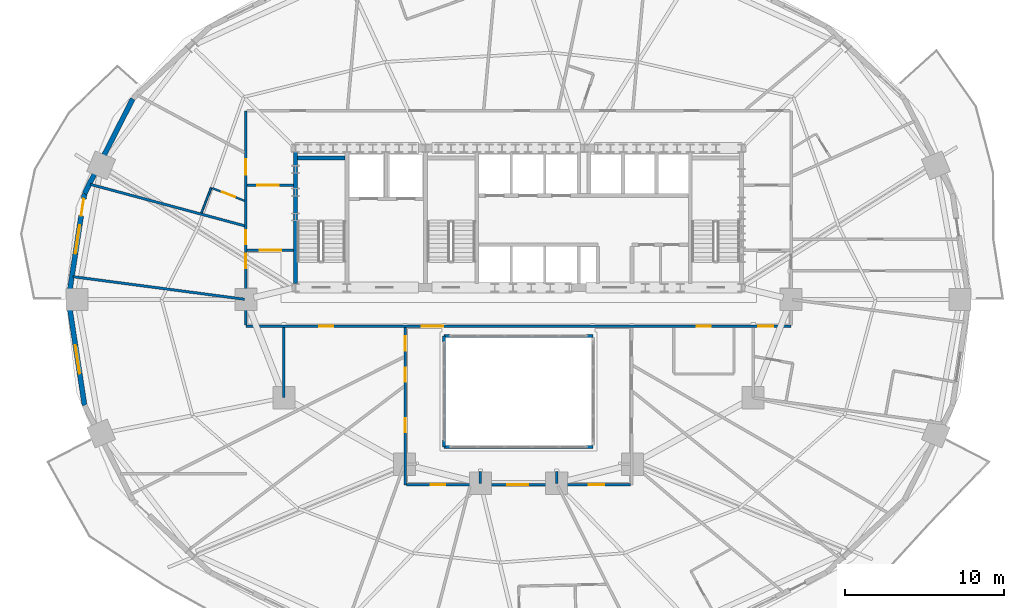
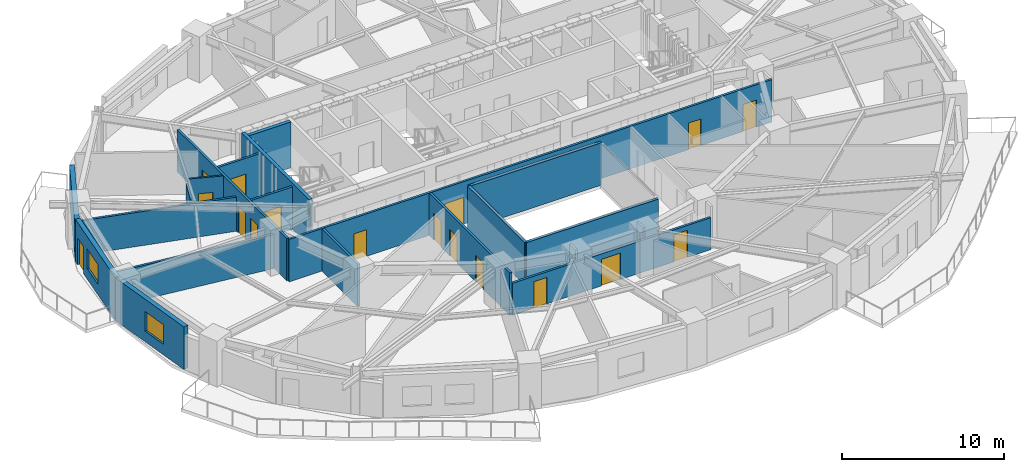
# One storey, part 8 of 16: 21 walls, 17 doors, 2 windows, 19 openings.
"""IFC4 building model written with IfcOpenShell, lengths in metres."""

from ifc_helpers import new_model, si_unit, direction, frame, frame_2d, origin, place, context, subcontext, project, spatial, rectangle, extrude, material, layer, layer_set, type_object, element, fill, save


model = new_model("IFC4")

# Units and contexts
model_context = context("Model", 3, precision=1e-05, world=origin(), true_north=direction((0.0, 1.0)))
body_context = subcontext(model_context, "Body", "Model", "MODEL_VIEW")
ifc_project = project(units=[si_unit("LENGTHUNIT", "METRE"), si_unit("AREAUNIT", "SQUARE_METRE"), si_unit("VOLUMEUNIT", "CUBIC_METRE"), si_unit("PLANEANGLEUNIT", "RADIAN"), si_unit("MASSUNIT", "GRAM", prefix="KILO")], contexts=[model_context])

# Site, building, storey
site_placement = place(None, origin())
site = spatial("IfcSite", under=ifc_project, at=site_placement, CompositionType="ELEMENT")
building_placement = place(site_placement, origin())
building = spatial("IfcBuilding", under=site, at=building_placement, Name="Haldorwick Loom Tower", CompositionType="ELEMENT")
storey_placement = place(building_placement, frame((0.0, 0.0, 88.699951171875)))
storey = spatial("IfcBuildingStorey", under=building, at=storey_placement, Name="L23", CompositionType="ELEMENT", Elevation=88.699951171875)

# Wall
ifc_material_1 = material(Name="Pressed Clay Face Brick and Insulated Masonry Backup Assembly", Category="masonry")
ifc_layer_1 = layer(ifc_material_1, 0.320068359375, Name="Pressed Clay Face Brick and Insulated Masonry Backup Assembly", Category="masonry")
ifc_layer_set_1 = layer_set([ifc_layer_1], Name="Pressed Clay Face Brick and Insulated Masonry Backup Assembly")
wall_type_1 = type_object("IfcWallType", Name="ARC-WL-EXT320", PredefinedType="STANDARD", material=ifc_layer_set_1)
wall_1_placement = place(storey_placement, frame((11.661376953125, 38.655517578125, 0.0), z_axis=(0.0, 0.0, 1.0), x_axis=(-0.453374078001, -0.89132033826, 0.0)))
element("IfcWall", 1, at=wall_1_placement, inside=storey, type_object=wall_type_1, Name="L23 Brick Pier and Spandrel Wall 11", PredefinedType="STANDARD", context=body_context, shape_type="SweptSolid", body=[
    extrude(rectangle(XDim=6.709716796875, YDim=0.320068359375, at=frame_2d((3.35498046875, 0.0))), origin(), (0.0, 0.0, 1.0), 2.569091796875),
])

# Wall, openings, door, window
wall_2_placement = place(storey_placement, frame((8.619384765625, 32.675048828125, 0.0), z_axis=(0.0, 0.0, 1.0), x_axis=(-0.150633288003, -0.988589708901, 0.0)))
wall_2 = element("IfcWall", 2, at=wall_2_placement, inside=storey, type_object=wall_type_1, Name="L23 Brick Pier and Spandrel Wall 12", PredefinedType="STANDARD", context=body_context, shape_type="SweptSolid", body=[
    extrude(rectangle(XDim=6.752197265625, YDim=0.320068359375, at=frame_2d((3.3759765625, 0.0))), origin(), (0.0, 0.0, 1.0), 3.2099609375),
])
opening_1_placement = place(wall_2_placement, frame((0.340087890625, 0.0, 0.0)))
opening_1 = element("IfcOpeningElement", 3, at=opening_1_placement, cuts=wall_2, Name="Opening D-BL11", PredefinedType="OPENING", context=body_context, shape_type="SweptSolid", body=[
    extrude(rectangle(XDim=1.080078125, YDim=2.0400390625, at=frame_2d((0.5400390625, 1.02001953125))), frame((0.0, 0.169921875, 0.0), z_axis=(0.0, -1.0, 0.0), x_axis=(1.0, 0.0, 0.0)), (0.0, 0.0, 1.0), 0.340087890625),
])
opening_2_placement = place(wall_2_placement, frame((2.02490234375, 0.0, 0.800048828125)))
opening_2 = element("IfcOpeningElement", 4, at=opening_2_placement, cuts=wall_2, Name="Opening W-01", PredefinedType="OPENING", context=body_context, shape_type="SweptSolid", body=[
    extrude(rectangle(XDim=1.800048828125, YDim=1.47998046875, at=frame_2d((0.89990234375, 0.739990234375))), frame((0.0, 0.169921875, 0.0), z_axis=(0.0, -1.0, 0.0), x_axis=(1.0, 0.0, 0.0)), (0.0, 0.0, 1.0), 0.340087890625),
])
ifc_material_2 = material(Name="Thermally Broken Anodized Aluminium Curtain Wall Framing", Category="aluminium")
door_type_1 = type_object("IfcDoorType", Name="ARC-DR-BAL110", OperationType="NOTDEFINED", PredefinedType="DOOR", material=ifc_material_2)
door_1_placement = place(opening_1_placement, origin())
door_1 = element("IfcDoor", 5, at=door_1_placement, inside=storey, type_object=door_type_1, Name="L23 Outdoor Terrace Door SLB-L23-BAL_WNW", OperationType="SINGLE_SWING_RIGHT", OverallHeight=2.0400390625, OverallWidth=1.080078125, PredefinedType="DOOR", context=body_context, shape_type="SweptSolid", body=[
    extrude(rectangle(XDim=1.080078125, YDim=2.0400390625, at=frame_2d((0.5400390625, 1.02001953125))), frame((0.0, 0.02490234375, 0.0), z_axis=(0.0, -1.0, 0.0), x_axis=(1.0, 0.0, 0.0)), (0.0, 0.0, 1.0), 0.050048828125),
])
fill(opening_1, door_1)
ifc_material_3 = material(Name="Triple-Glazed Low-E Argon Insulated Glazing Unit", Category="glass")
window_type = type_object("IfcWindowType", Name="ARC-WIN-W180", PartitioningType="SINGLE_PANEL", PredefinedType="WINDOW", material=ifc_material_3)
window_1_placement = place(opening_2_placement, origin())
window_1 = element("IfcWindow", 6, at=window_1_placement, inside=storey, type_object=window_type, Name="L23 Deep-Set Zone 7A Window 12", OverallHeight=1.47998046875, OverallWidth=1.800048828125, PartitioningType="SINGLE_PANEL", PredefinedType="WINDOW", context=body_context, shape_type="SweptSolid", body=[
    extrude(rectangle(XDim=1.800048828125, YDim=1.47998046875, at=frame_2d((0.89990234375, 0.739990234375))), frame((0.0, 0.030029296875, 0.0), z_axis=(0.0, -1.0, 0.0), x_axis=(1.0, 0.0, 0.0)), (0.0, 0.0, 1.0), 0.06005859375),
])
fill(opening_2, window_1)

# Wall, opening, window
wall_3_placement = place(storey_placement, frame((7.602294921875, 26.0, 0.0), z_axis=(0.0, 0.0, 1.0), x_axis=(0.150633288003, -0.988589708901, 0.0)))
wall_3 = element("IfcWall", 7, at=wall_3_placement, inside=storey, type_object=wall_type_1, Name="L23 Brick Pier and Spandrel Wall 13", PredefinedType="STANDARD", context=body_context, shape_type="SweptSolid", body=[
    extrude(rectangle(XDim=6.752197265625, YDim=0.320068359375, at=frame_2d((3.3759765625, 0.0))), origin(), (0.0, 0.0, 1.0), 3.2099609375),
])
opening_3_placement = place(wall_3_placement, frame((2.92724609375, 0.0, 0.800048828125)))
opening_3 = element("IfcOpeningElement", 8, at=opening_3_placement, cuts=wall_3, Name="Opening W-01", PredefinedType="OPENING", context=body_context, shape_type="SweptSolid", body=[
    extrude(rectangle(XDim=1.800048828125, YDim=1.47998046875, at=frame_2d((0.89990234375, 0.739990234375))), frame((0.0, 0.169921875, 0.0), z_axis=(0.0, -1.0, 0.0), x_axis=(1.0, 0.0, 0.0)), (0.0, 0.0, 1.0), 0.340087890625),
])
window_2_placement = place(opening_3_placement, origin())
window_2 = element("IfcWindow", 9, at=window_2_placement, inside=storey, type_object=window_type, Name="L23 Deep-Set Zone 7A Window 13", OverallHeight=1.47998046875, OverallWidth=1.800048828125, PartitioningType="SINGLE_PANEL", PredefinedType="WINDOW", context=body_context, shape_type="SweptSolid", body=[
    extrude(rectangle(XDim=1.800048828125, YDim=1.47998046875, at=frame_2d((0.89990234375, 0.739990234375))), frame((0.0, 0.030029296875, 0.0), z_axis=(0.0, -1.0, 0.0), x_axis=(1.0, 0.0, 0.0)), (0.0, 0.0, 1.0), 0.06005859375),
])
fill(opening_3, window_2)

# Wall, openings, doors
ifc_material_4 = material(Name="Fire-Rated Type X Gypsum Stud Assembly EI 60")
ifc_layer_2 = layer(ifc_material_4, 0.159912109375, Name="Fire-Rated Type X Gypsum Stud Assembly EI 60")
ifc_layer_set_2 = layer_set([ifc_layer_2], Name="Fire-Rated Type X Gypsum Stud Assembly EI 60")
wall_type_2 = type_object("IfcWallType", Name="ARC-WL-FIRE160", PredefinedType="PARTITIONING", material=ifc_layer_set_2)
wall_4_placement = place(storey_placement, frame((18.800048828125, 24.300048828125, 0.0), z_axis=(0.0, 0.0, 1.0), x_axis=(1.0, 0.0, 0.0)))
wall_4 = element("IfcWall", 10, at=wall_4_placement, inside=storey, type_object=wall_type_2, Name="L23 Residential Fire Partition L23-CR-SP", PredefinedType="PARTITIONING", context=body_context, shape_type="SweptSolid", body=[
    extrude(rectangle(XDim=34.39990234375, YDim=0.159912109375, at=frame_2d((17.199951171875, 0.0))), origin(), (0.0, 0.0, 1.0), 3.195068359375),
])
opening_4_placement = place(wall_4_placement, frame((11.085693359375, 0.0, 0.0)))
opening_4 = element("IfcOpeningElement", 11, at=opening_4_placement, cuts=wall_4, Name="Opening D-CR15", PredefinedType="OPENING", context=body_context, shape_type="SweptSolid", body=[
    extrude(rectangle(XDim=1.35009765625, YDim=2.0, at=frame_2d((0.675048828125, 1.0))), frame((0.0, 0.08984375, 0.0), z_axis=(0.0, -1.0, 0.0), x_axis=(1.0, 0.0, 0.0)), (0.0, 0.0, 1.0), 0.179931640625),
])
opening_5_placement = place(wall_4_placement, frame((4.621826171875, 0.0, 0.0)))
opening_5 = element("IfcOpeningElement", 12, at=opening_5_placement, cuts=wall_4, Name="Opening D-FD60A", PredefinedType="OPENING", context=body_context, shape_type="SweptSolid", body=[
    extrude(rectangle(XDim=0.89990234375, YDim=2.0, at=frame_2d((0.449951171875, 1.0))), frame((0.0, 0.08984375, 0.0), z_axis=(0.0, -1.0, 0.0), x_axis=(1.0, 0.0, 0.0)), (0.0, 0.0, 1.0), 0.179931640625),
])
opening_6_placement = place(wall_4_placement, frame((28.437255859375, 0.0, 0.0)))
opening_6 = element("IfcOpeningElement", 13, at=opening_6_placement, cuts=wall_4, Name="Opening D-FD60A", PredefinedType="OPENING", context=body_context, shape_type="SweptSolid", body=[
    extrude(rectangle(XDim=0.89990234375, YDim=2.0, at=frame_2d((0.449951171875, 1.0))), frame((0.0, 0.08984375, 0.0), z_axis=(0.0, -1.0, 0.0), x_axis=(1.0, 0.0, 0.0)), (0.0, 0.0, 1.0), 0.179931640625),
])
opening_7_placement = place(wall_4_placement, frame((32.319091796875, 0.0, 0.0)))
opening_7 = element("IfcOpeningElement", 14, at=opening_7_placement, cuts=wall_4, Name="Opening D-FL95", PredefinedType="OPENING", context=body_context, shape_type="SweptSolid", body=[
    extrude(rectangle(XDim=0.949951171875, YDim=2.0400390625, at=frame_2d((0.47509765625, 1.02001953125))), frame((0.0, 0.08984375, 0.0), z_axis=(0.0, -1.0, 0.0), x_axis=(1.0, 0.0, 0.0)), (0.0, 0.0, 1.0), 0.179931640625),
])
ifc_material_5 = material(Name="Thermally Broken Anodized Aluminium and Tempered Glass", Category="aluminium")
door_type_2 = type_object("IfcDoorType", Name="ARC-DR-COR150", OperationType="NOTDEFINED", PredefinedType="DOOR", material=ifc_material_5)
door_2_placement = place(opening_4_placement, origin())
door_2 = element("IfcDoor", 15, at=door_2_placement, inside=storey, type_object=door_type_2, Name="L23 L23 Central Residential Corridor to L23 South Atrium Corridor Door", OperationType="DOUBLE_DOOR_SINGLE_SWING", OverallHeight=2.0, OverallWidth=1.35009765625, PredefinedType="DOOR", context=body_context, shape_type="SweptSolid", body=[
    extrude(rectangle(XDim=1.35009765625, YDim=2.0, at=frame_2d((0.675048828125, 1.0))), frame((0.0, 0.02490234375, 0.0), z_axis=(0.0, -1.0, 0.0), x_axis=(1.0, 0.0, 0.0)), (0.0, 0.0, 1.0), 0.050048828125),
])
fill(opening_4, door_2)
ifc_material_6 = material(Name="Hollow Steel Fire Door Assembly", Category="steel")
door_type_3 = type_object("IfcDoorType", Name="ARC-DR-FD60-90", OperationType="NOTDEFINED", PredefinedType="DOOR", material=ifc_material_6)
door_3_placement = place(opening_5_placement, origin())
door_3 = element("IfcDoor", 16, at=door_3_placement, inside=storey, type_object=door_type_3, Name="L23 L23 Central Residential Corridor to Shared Resident Dining Hall 15 D", OperationType="SINGLE_SWING_RIGHT", OverallHeight=2.0, OverallWidth=0.89990234375, PredefinedType="DOOR", context=body_context, shape_type="SweptSolid", body=[
    extrude(rectangle(XDim=0.89990234375, YDim=2.0, at=frame_2d((0.449951171875, 1.0))), frame((0.0, 0.02490234375, 0.0), z_axis=(0.0, -1.0, 0.0), x_axis=(1.0, 0.0, 0.0)), (0.0, 0.0, 1.0), 0.050048828125),
])
fill(opening_5, door_3)
door_4_placement = place(opening_6_placement, origin())
door_4 = element("IfcDoor", 17, at=door_4_placement, inside=storey, type_object=door_type_3, Name="L23 L23 Central Residential Corridor to Common Accessible WC Door", OperationType="SINGLE_SWING_LEFT", OverallHeight=2.0, OverallWidth=0.89990234375, PredefinedType="DOOR", context=body_context, shape_type="SweptSolid", body=[
    extrude(rectangle(XDim=0.89990234375, YDim=2.0, at=frame_2d((0.449951171875, 1.0))), frame((0.0, 0.02490234375, 0.0), z_axis=(0.0, -1.0, 0.0), x_axis=(1.0, 0.0, 0.0)), (0.0, 0.0, 1.0), 0.050048828125),
])
fill(opening_6, door_4)
ifc_material_7 = material(Name="Solid Core Birch Architectural Door")
door_type_4 = type_object("IfcDoorType", Name="ARC-DR-FLAT95", OperationType="NOTDEFINED", PredefinedType="DOOR", material=ifc_material_7)
door_5_placement = place(opening_7_placement, origin())
door_5 = element("IfcDoor", 18, at=door_5_placement, inside=storey, type_object=door_type_4, Name="L23 L23 Central Residential Corridor to Unit 23B Kitchen and Living Room", OperationType="SINGLE_SWING_RIGHT", OverallHeight=2.0400390625, OverallWidth=0.949951171875, PredefinedType="DOOR", context=body_context, shape_type="SweptSolid", body=[
    extrude(rectangle(XDim=0.949951171875, YDim=2.0400390625, at=frame_2d((0.47509765625, 1.02001953125))), frame((0.0, 0.02490234375, 0.0), z_axis=(0.0, -1.0, 0.0), x_axis=(1.0, 0.0, 0.0)), (0.0, 0.0, 1.0), 0.050048828125),
])
fill(opening_7, door_5)

wall_5_placement = place(storey_placement, frame((18.800048828125, 24.383056640625, 0.0), z_axis=(0.0, 0.0, 1.0), x_axis=(0.0, 1.0, 0.0)))
wall_5 = element("IfcWall", 19, at=wall_5_placement, inside=storey, type_object=wall_type_2, Name="L23 Residential Fire Partition L23-CR-W0", PredefinedType="PARTITIONING", context=body_context, shape_type="SweptSolid", body=[
    extrude(rectangle(XDim=13.516845703125, YDim=0.159912109375, at=frame_2d((6.75830078125, 0.0))), origin(), (0.0, 0.0, 1.0), 3.195068359375),
])
opening_8_placement = place(wall_5_placement, frame((3.5908203125, 0.0, 0.0)))
opening_8 = element("IfcOpeningElement", 20, at=opening_8_placement, cuts=wall_5, Name="Opening D-FD60A", PredefinedType="OPENING", context=body_context, shape_type="SweptSolid", body=[
    extrude(rectangle(XDim=0.89990234375, YDim=2.0, at=frame_2d((0.449951171875, 1.0))), frame((0.0, 0.08984375, 0.0), z_axis=(0.0, -1.0, 0.0), x_axis=(1.0, 0.0, 0.0)), (0.0, 0.0, 1.0), 0.179931640625),
])
opening_9_placement = place(wall_5_placement, frame((9.49658203125, 0.0, 0.0)))
opening_9 = element("IfcOpeningElement", 21, at=opening_9_placement, cuts=wall_5, Name="Opening D-FL95", PredefinedType="OPENING", context=body_context, shape_type="SweptSolid", body=[
    extrude(rectangle(XDim=0.949951171875, YDim=2.0400390625, at=frame_2d((0.47509765625, 1.02001953125))), frame((0.0, 0.08984375, 0.0), z_axis=(0.0, -1.0, 0.0), x_axis=(1.0, 0.0, 0.0)), (0.0, 0.0, 1.0), 0.179931640625),
])
opening_10_placement = place(wall_5_placement, frame((5.08984375, 0.0, 0.0)))
opening_10 = element("IfcOpeningElement", 22, at=opening_10_placement, cuts=wall_5, Name="Opening D-FD60A", PredefinedType="OPENING", context=body_context, shape_type="SweptSolid", body=[
    extrude(rectangle(XDim=0.89990234375, YDim=2.0, at=frame_2d((0.449951171875, 1.0))), frame((0.0, 0.08984375, 0.0), z_axis=(0.0, -1.0, 0.0), x_axis=(1.0, 0.0, 0.0)), (0.0, 0.0, 1.0), 0.179931640625),
])
door_6_placement = place(opening_8_placement, frame((0.89990234375, 0.0, 0.0), z_axis=(0.0, 0.0, 1.0), x_axis=(-1.0, 0.0, 0.0)))
door_6 = element("IfcDoor", 23, at=door_6_placement, inside=storey, type_object=door_type_3, Name="L23 Shared Resident Dining Hall 11 to L23 Central Residential Corridor D", OperationType="SINGLE_SWING_RIGHT", OverallHeight=2.0, OverallWidth=0.89990234375, PredefinedType="DOOR", context=body_context, shape_type="SweptSolid", body=[
    extrude(rectangle(XDim=0.89990234375, YDim=2.0, at=frame_2d((0.449951171875, 1.0))), frame((0.0, 0.02490234375, 0.0), z_axis=(0.0, -1.0, 0.0), x_axis=(1.0, 0.0, 0.0)), (0.0, 0.0, 1.0), 0.050048828125),
])
fill(opening_8, door_6)
door_7_placement = place(opening_10_placement, frame((0.89990234375, 0.0, 0.0), z_axis=(0.0, 0.0, 1.0), x_axis=(-1.0, 0.0, 0.0)))
door_7 = element("IfcDoor", 24, at=door_7_placement, inside=storey, type_object=door_type_3, Name="L23 Shared Resident Dining Hall 11 to L23 West Residential Corridor Door", OperationType="SINGLE_SWING_RIGHT", OverallHeight=2.0, OverallWidth=0.89990234375, PredefinedType="DOOR", context=body_context, shape_type="SweptSolid", body=[
    extrude(rectangle(XDim=0.89990234375, YDim=2.0, at=frame_2d((0.449951171875, 1.0))), frame((0.0, 0.02490234375, 0.0), z_axis=(0.0, -1.0, 0.0), x_axis=(1.0, 0.0, 0.0)), (0.0, 0.0, 1.0), 0.050048828125),
])
fill(opening_10, door_7)
door_8_placement = place(opening_9_placement, frame((0.949951171875, 0.0, 0.0), z_axis=(0.0, 0.0, 1.0), x_axis=(-1.0, 0.0, 0.0)))
door_8 = element("IfcDoor", 25, at=door_8_placement, inside=storey, type_object=door_type_4, Name="L23 Unit 23L Kitchen and Studio Living Room to L23 North Residential Cor", OperationType="SINGLE_SWING_RIGHT", OverallHeight=2.0400390625, OverallWidth=0.949951171875, PredefinedType="DOOR", context=body_context, shape_type="SweptSolid", body=[
    extrude(rectangle(XDim=0.949951171875, YDim=2.0400390625, at=frame_2d((0.47509765625, 1.02001953125))), frame((0.0, 0.02490234375, 0.0), z_axis=(0.0, -1.0, 0.0), x_axis=(1.0, 0.0, 0.0)), (0.0, 0.0, 1.0), 0.050048828125),
])
fill(opening_9, door_8)

# Wall, opening, door
wall_6_placement = place(storey_placement, frame((18.883056640625, 29.10009765625, 0.0), z_axis=(0.0, 0.0, 1.0), x_axis=(1.0, 0.0, 0.0)))
wall_6 = element("IfcWall", 26, at=wall_6_placement, inside=storey, type_object=wall_type_2, Name="L23 Residential Fire Partition L23-CR-WSJ", PredefinedType="PARTITIONING", context=body_context, shape_type="SweptSolid", body=[
    extrude(rectangle(XDim=2.923828125, YDim=0.159912109375, at=frame_2d((1.4619140625, 0.0))), origin(), (0.0, 0.0, 1.0), 3.195068359375),
])
opening_11_placement = place(wall_6_placement, frame((0.787109375, 0.0, 0.0)))
opening_11 = element("IfcOpeningElement", 27, at=opening_11_placement, cuts=wall_6, Name="Opening D-CR15", PredefinedType="OPENING", context=body_context, shape_type="SweptSolid", body=[
    extrude(rectangle(XDim=1.35009765625, YDim=2.0, at=frame_2d((0.675048828125, 1.0))), frame((0.0, 0.08984375, 0.0), z_axis=(0.0, -1.0, 0.0), x_axis=(1.0, 0.0, 0.0)), (0.0, 0.0, 1.0), 0.179931640625),
])
door_9_placement = place(opening_11_placement, origin())
door_9 = element("IfcDoor", 28, at=door_9_placement, inside=storey, type_object=door_type_2, Name="L23 L23 West Residential Corridor to L23 Central Residential Corridor Do", OperationType="DOUBLE_DOOR_SINGLE_SWING", OverallHeight=2.0, OverallWidth=1.35009765625, PredefinedType="DOOR", context=body_context, shape_type="SweptSolid", body=[
    extrude(rectangle(XDim=1.35009765625, YDim=2.0, at=frame_2d((0.675048828125, 1.0))), frame((0.0, 0.02490234375, 0.0), z_axis=(0.0, -1.0, 0.0), x_axis=(1.0, 0.0, 0.0)), (0.0, 0.0, 1.0), 0.050048828125),
])
fill(opening_11, door_9)

wall_7_placement = place(storey_placement, frame((18.883056640625, 33.199951171875, 0.0), z_axis=(0.0, 0.0, 1.0), x_axis=(1.0, 0.0, 0.0)))
wall_7 = element("IfcWall", 29, at=wall_7_placement, inside=storey, type_object=wall_type_2, Name="L23 Residential Fire Partition L23-CR-WNJ", PredefinedType="PARTITIONING", context=body_context, shape_type="SweptSolid", body=[
    extrude(rectangle(XDim=2.923828125, YDim=0.159912109375, at=frame_2d((1.4619140625, 0.0))), origin(), (0.0, 0.0, 1.0), 3.195068359375),
])
opening_12_placement = place(wall_7_placement, frame((0.637939453125, 0.0, 0.0)))
opening_12 = element("IfcOpeningElement", 30, at=opening_12_placement, cuts=wall_7, Name="Opening D-CR15", PredefinedType="OPENING", context=body_context, shape_type="SweptSolid", body=[
    extrude(rectangle(XDim=1.35009765625, YDim=2.0, at=frame_2d((0.675048828125, 1.0))), frame((0.0, 0.08984375, 0.0), z_axis=(0.0, -1.0, 0.0), x_axis=(1.0, 0.0, 0.0)), (0.0, 0.0, 1.0), 0.179931640625),
])
door_10_placement = place(opening_12_placement, origin())
door_10 = element("IfcDoor", 31, at=door_10_placement, inside=storey, type_object=door_type_2, Name="L23 L23 North Residential Corridor to L23 West Residential Corridor Door", OperationType="DOUBLE_DOOR_SINGLE_SWING", OverallHeight=2.0, OverallWidth=1.35009765625, PredefinedType="DOOR", context=body_context, shape_type="SweptSolid", body=[
    extrude(rectangle(XDim=1.35009765625, YDim=2.0, at=frame_2d((0.675048828125, 1.0))), frame((0.0, 0.02490234375, 0.0), z_axis=(0.0, -1.0, 0.0), x_axis=(1.0, 0.0, 0.0)), (0.0, 0.0, 1.0), 0.050048828125),
])
fill(opening_12, door_10)

# Wall, openings, doors
wall_8_placement = place(storey_placement, frame((28.85009765625, 14.300048828125, 0.0), z_axis=(0.0, 0.0, 1.0), x_axis=(0.0, 1.0, 0.0)))
wall_8 = element("IfcWall", 32, at=wall_8_placement, inside=storey, type_object=wall_type_2, Name="L23 Residential Fire Partition L23-CR-AW", PredefinedType="PARTITIONING", context=body_context, shape_type="SweptSolid", body=[
    extrude(rectangle(XDim=9.9169921875, YDim=0.159912109375, at=frame_2d((4.95849609375, 0.0))), origin(), (0.0, 0.0, 1.0), 3.195068359375),
])
opening_13_placement = place(wall_8_placement, frame((3.306396484375, 0.0, 0.0)))
opening_13 = element("IfcOpeningElement", 33, at=opening_13_placement, cuts=wall_8, Name="Opening D-FD60A", PredefinedType="OPENING", context=body_context, shape_type="SweptSolid", body=[
    extrude(rectangle(XDim=0.89990234375, YDim=2.0, at=frame_2d((0.449951171875, 1.0))), frame((0.0, 0.08984375, 0.0), z_axis=(0.0, -1.0, 0.0), x_axis=(1.0, 0.0, 0.0)), (0.0, 0.0, 1.0), 0.179931640625),
])
opening_14_placement = place(wall_8_placement, frame((8.475341796875, 0.0, 0.0)))
opening_14 = element("IfcOpeningElement", 34, at=opening_14_placement, cuts=wall_8, Name="Opening D-FD60A", PredefinedType="OPENING", context=body_context, shape_type="SweptSolid", body=[
    extrude(rectangle(XDim=0.89990234375, YDim=2.0, at=frame_2d((0.449951171875, 1.0))), frame((0.0, 0.08984375, 0.0), z_axis=(0.0, -1.0, 0.0), x_axis=(1.0, 0.0, 0.0)), (0.0, 0.0, 1.0), 0.179931640625),
])
opening_15_placement = place(wall_8_placement, frame((6.491943359375, 0.0, 0.0)))
opening_15 = element("IfcOpeningElement", 35, at=opening_15_placement, cuts=wall_8, Name="Opening D-FD60A", PredefinedType="OPENING", context=body_context, shape_type="SweptSolid", body=[
    extrude(rectangle(XDim=0.89990234375, YDim=2.0, at=frame_2d((0.449951171875, 1.0))), frame((0.0, 0.08984375, 0.0), z_axis=(0.0, -1.0, 0.0), x_axis=(1.0, 0.0, 0.0)), (0.0, 0.0, 1.0), 0.179931640625),
])
door_11_placement = place(opening_13_placement, frame((0.89990234375, 0.0, 0.0), z_axis=(0.0, 0.0, 1.0), x_axis=(-1.0, 0.0, 0.0)))
door_11 = element("IfcDoor", 36, at=door_11_placement, inside=storey, type_object=door_type_3, Name="L23 Shared Resident Dining Hall 15 to L23 South Atrium Corridor Door", OperationType="SINGLE_SWING_RIGHT", OverallHeight=2.0, OverallWidth=0.89990234375, PredefinedType="DOOR", context=body_context, shape_type="SweptSolid", body=[
    extrude(rectangle(XDim=0.89990234375, YDim=2.0, at=frame_2d((0.449951171875, 1.0))), frame((0.0, 0.02490234375, 0.0), z_axis=(0.0, -1.0, 0.0), x_axis=(1.0, 0.0, 0.0)), (0.0, 0.0, 1.0), 0.050048828125),
])
fill(opening_13, door_11)
door_12_placement = place(opening_14_placement, frame((0.89990234375, 0.0, 0.0), z_axis=(0.0, 0.0, 1.0), x_axis=(-1.0, 0.0, 0.0)))
door_12 = element("IfcDoor", 37, at=door_12_placement, inside=storey, type_object=door_type_3, Name="L23 Shared Resident Dining Hall 15 to L23 South Atrium Corridor Door", OperationType="SINGLE_SWING_LEFT", OverallHeight=2.0, OverallWidth=0.89990234375, PredefinedType="DOOR", context=body_context, shape_type="SweptSolid", body=[
    extrude(rectangle(XDim=0.89990234375, YDim=2.0, at=frame_2d((0.449951171875, 1.0))), frame((0.0, 0.02490234375, 0.0), z_axis=(0.0, -1.0, 0.0), x_axis=(1.0, 0.0, 0.0)), (0.0, 0.0, 1.0), 0.050048828125),
])
fill(opening_14, door_12)
door_13_placement = place(opening_15_placement, frame((0.89990234375, 0.0, 0.0), z_axis=(0.0, 0.0, 1.0), x_axis=(-1.0, 0.0, 0.0)))
door_13 = element("IfcDoor", 38, at=door_13_placement, inside=storey, type_object=door_type_3, Name="L23 Shared Resident Dining Hall 10 to L23 South Atrium Corridor Door", OperationType="SINGLE_SWING_RIGHT", OverallHeight=2.0, OverallWidth=0.89990234375, PredefinedType="DOOR", context=body_context, shape_type="SweptSolid", body=[
    extrude(rectangle(XDim=0.89990234375, YDim=2.0, at=frame_2d((0.449951171875, 1.0))), frame((0.0, 0.02490234375, 0.0), z_axis=(0.0, -1.0, 0.0), x_axis=(1.0, 0.0, 0.0)), (0.0, 0.0, 1.0), 0.050048828125),
])
fill(opening_15, door_13)

wall_9_placement = place(storey_placement, frame((28.93310546875, 14.300048828125, 0.0), z_axis=(0.0, 0.0, 1.0), x_axis=(1.0, 0.0, 0.0)))
wall_9 = element("IfcWall", 39, at=wall_9_placement, inside=storey, type_object=wall_type_2, Name="L23 Residential Fire Partition L23-CR-AS", PredefinedType="PARTITIONING", context=body_context, shape_type="SweptSolid", body=[
    extrude(rectangle(XDim=14.1337890625, YDim=0.159912109375, at=frame_2d((7.06689453125, 0.0))), origin(), (0.0, 0.0, 1.0), 2.412109375),
])
opening_16_placement = place(wall_9_placement, frame((6.3447265625, 0.0, 0.0)))
opening_16 = element("IfcOpeningElement", 40, at=opening_16_placement, cuts=wall_9, Name="Opening D-CR15", PredefinedType="OPENING", context=body_context, shape_type="SweptSolid", body=[
    extrude(rectangle(XDim=1.35009765625, YDim=2.0, at=frame_2d((0.675048828125, 1.0))), frame((0.0, 0.08984375, 0.0), z_axis=(0.0, -1.0, 0.0), x_axis=(1.0, 0.0, 0.0)), (0.0, 0.0, 1.0), 0.179931640625),
])
opening_17_placement = place(wall_9_placement, frame((11.5126953125, 0.0, 0.0)))
opening_17 = element("IfcOpeningElement", 41, at=opening_17_placement, cuts=wall_9, Name="Opening D-FL95", PredefinedType="OPENING", context=body_context, shape_type="SweptSolid", body=[
    extrude(rectangle(XDim=0.949951171875, YDim=2.0400390625, at=frame_2d((0.47509765625, 1.02001953125))), frame((0.0, 0.08984375, 0.0), z_axis=(0.0, -1.0, 0.0), x_axis=(1.0, 0.0, 0.0)), (0.0, 0.0, 1.0), 0.179931640625),
])
opening_18_placement = place(wall_9_placement, frame((1.53759765625, 0.0, 0.0)))
opening_18 = element("IfcOpeningElement", 42, at=opening_18_placement, cuts=wall_9, Name="Opening D-FD60A", PredefinedType="OPENING", context=body_context, shape_type="SweptSolid", body=[
    extrude(rectangle(XDim=0.89990234375, YDim=2.0, at=frame_2d((0.449951171875, 1.0))), frame((0.0, 0.08984375, 0.0), z_axis=(0.0, -1.0, 0.0), x_axis=(1.0, 0.0, 0.0)), (0.0, 0.0, 1.0), 0.179931640625),
])
door_14_placement = place(opening_16_placement, origin())
door_14 = element("IfcDoor", 43, at=door_14_placement, inside=storey, type_object=door_type_2, Name="L23 L23 South Atrium Corridor to Unit 23H Kitchen and Living Room Door", OperationType="DOUBLE_DOOR_SINGLE_SWING", OverallHeight=2.0, OverallWidth=1.35009765625, PredefinedType="DOOR", context=body_context, shape_type="SweptSolid", body=[
    extrude(rectangle(XDim=1.35009765625, YDim=2.0, at=frame_2d((0.675048828125, 1.0))), frame((0.0, 0.02490234375, 0.0), z_axis=(0.0, -1.0, 0.0), x_axis=(1.0, 0.0, 0.0)), (0.0, 0.0, 1.0), 0.050048828125),
])
fill(opening_16, door_14)
door_15_placement = place(opening_18_placement, origin())
door_15 = element("IfcDoor", 44, at=door_15_placement, inside=storey, type_object=door_type_3, Name="L23 L23 South Atrium Corridor to Co-Working Office 1 Door", OperationType="SINGLE_SWING_RIGHT", OverallHeight=2.0, OverallWidth=0.89990234375, PredefinedType="DOOR", context=body_context, shape_type="SweptSolid", body=[
    extrude(rectangle(XDim=0.89990234375, YDim=2.0, at=frame_2d((0.449951171875, 1.0))), frame((0.0, 0.02490234375, 0.0), z_axis=(0.0, -1.0, 0.0), x_axis=(1.0, 0.0, 0.0)), (0.0, 0.0, 1.0), 0.050048828125),
])
fill(opening_18, door_15)
door_16_placement = place(opening_17_placement, origin())
door_16 = element("IfcDoor", 45, at=door_16_placement, inside=storey, type_object=door_type_4, Name="L23 L23 South Atrium Corridor to Unit 23A Kitchen and Studio Living Room", OperationType="SINGLE_SWING_RIGHT", OverallHeight=2.0400390625, OverallWidth=0.949951171875, PredefinedType="DOOR", context=body_context, shape_type="SweptSolid", body=[
    extrude(rectangle(XDim=0.949951171875, YDim=2.0400390625, at=frame_2d((0.47509765625, 1.02001953125))), frame((0.0, 0.02490234375, 0.0), z_axis=(0.0, -1.0, 0.0), x_axis=(1.0, 0.0, 0.0)), (0.0, 0.0, 1.0), 0.050048828125),
])
fill(opening_17, door_16)

# Walls
wall_10_placement = place(storey_placement, frame((18.717041015625, 26.010986328125, 0.0), z_axis=(0.0, 0.0, 1.0), x_axis=(-0.991444783686, 0.130526782315, 0.0)))
element("IfcWall", 46, at=wall_10_placement, inside=storey, type_object=wall_type_2, Name="L23 Residential Fire Partition L23-ICR-12", PredefinedType="PARTITIONING", context=body_context, shape_type="SweptSolid", body=[
    extrude(rectangle(XDim=10.92333984375, YDim=0.159912109375, at=frame_2d((5.461669921875, 0.0))), origin(), (0.0, 0.0, 1.0), 2.568115234375),
])
for number, where, z_axis, x_axis, name in (
    (47, (38.39990234375, 15.14990234375, 0.0), (0.0, 0.0, 1.0), (0.0, -1.0, 0.0), "L23 Residential Fire Partition L23-ICA-06"),
    (48, (33.60009765625, 15.14990234375, 0.0), (0.0, 0.0, 1.0), (0.0, -1.0, 0.0), "L23 Residential Fire Partition L23-ICA-08"),
):
    element("IfcWall", number, at=place(storey_placement, frame(where, z_axis=z_axis, x_axis=x_axis)), inside=storey, type_object=wall_type_2, Name=name, PredefinedType="PARTITIONING", context=body_context, shape_type="SweptSolid", body=[
        extrude(rectangle(XDim=0.75, YDim=0.159912109375, at=frame_2d((0.375, 0.0))), origin(), (0.0, 0.0, 1.0), 3.195068359375),
    ])
wall_11_placement = place(storey_placement, frame((21.199951171875, 24.217041015625, 0.0), z_axis=(0.0, 0.0, 1.0), x_axis=(0.0, -1.0, 0.0)))
element("IfcWall", 49, at=wall_11_placement, inside=storey, type_object=wall_type_2, Name="L23 Residential Fire Partition L23-ICA-11", PredefinedType="PARTITIONING", context=body_context, shape_type="SweptSolid", body=[
    extrude(rectangle(XDim=4.4169921875, YDim=0.159912109375, at=frame_2d((2.20849609375, 0.0))), origin(), (0.0, 0.0, 1.0), 3.195068359375),
])
wall_12_placement = place(storey_placement, frame((18.717041015625, 30.645263671875, 0.0), z_axis=(0.0, 0.0, 1.0), x_axis=(-0.96573103827, 0.259544912727, 0.0)))
element("IfcWall", 50, at=wall_12_placement, inside=storey, type_object=wall_type_2, Name="L23 Suite Split Wall", PredefinedType="PARTITIONING", context=body_context, shape_type="SweptSolid", body=[
    extrude(rectangle(XDim=10.072509765625, YDim=0.159912109375, at=frame_2d((5.0361328125, 0.0))), origin(), (0.0, 0.0, 1.0), 2.568115234375),
])
ifc_material_8 = material(Name="Fire-Rated Type X Gypsum Stud Assembly EI 120")
ifc_layer_3 = layer(ifc_material_8, 0.199951171875, Name="Fire-Rated Type X Gypsum Stud Assembly EI 120")
ifc_layer_set_3 = layer_set([ifc_layer_3], Name="Fire-Rated Type X Gypsum Stud Assembly EI 120")
wall_type_3 = type_object("IfcWallType", Name="ARC-WL-FIRE200", PredefinedType="PARTITIONING", material=ifc_layer_set_3)
for number, where, z_axis, x_axis, name in (
    (51, (31.300048828125, 23.699951171875, 0.0), (0.0, 0.0, 1.0), (1.0, 0.0, 0.0), "L23 Atrium Fire Enclosure Wall N"),
    (52, (40.699951171875, 16.699951171875, 0.0), (0.0, 0.0, 1.0), (-1.0, 0.0, 0.0), "L23 Atrium Fire Enclosure Wall S"),
):
    element("IfcWall", number, at=place(storey_placement, frame(where, z_axis=z_axis, x_axis=x_axis)), inside=storey, type_object=wall_type_3, Name=name, PredefinedType="PARTITIONING", context=body_context, shape_type="SweptSolid", body=[
        extrude(rectangle(XDim=9.39990234375, YDim=0.199951171875, at=frame_2d((4.699951171875, 0.0))), origin(), (0.0, 0.0, 1.0), 3.195068359375),
    ])
wall_13_placement = place(storey_placement, frame((31.300048828125, 16.699951171875, 0.0), z_axis=(0.0, 0.0, 1.0), x_axis=(0.0, 1.0, 0.0)))
element("IfcWall", 53, at=wall_13_placement, inside=storey, type_object=wall_type_3, Name="L23 Atrium Fire Enclosure Wall W", PredefinedType="PARTITIONING", context=body_context, shape_type="SweptSolid", body=[
    extrude(rectangle(XDim=7.0, YDim=0.199951171875, at=frame_2d((3.5, 0.0))), origin(), (0.0, 0.0, 1.0), 3.195068359375),
])
ifc_material_9 = material(Name="Acoustic Gypsum Stud Assembly STC 55")
ifc_layer_4 = layer(ifc_material_9, 0.1201171875, Name="Acoustic Gypsum Stud Assembly STC 55")
ifc_layer_set_4 = layer_set([ifc_layer_4], Name="Acoustic Gypsum Stud Assembly STC 55")
wall_type_4 = type_object("IfcWallType", Name="ARC-WL-PART120", PredefinedType="PARTITIONING", material=ifc_layer_set_4)
wall_14_placement = place(storey_placement, frame((16.614013671875, 33.04443359375, 0.0), z_axis=(0.0, 0.0, 1.0), x_axis=(-0.364789511163, -0.931090013127, 0.0)))
element("IfcWall", 54, at=wall_14_placement, inside=storey, type_object=wall_type_4, Name="L23 Unit 23L Interior Partition", PredefinedType="PARTITIONING", context=body_context, shape_type="SweptSolid", body=[
    extrude(rectangle(XDim=1.698486328125, YDim=0.1201171875, at=frame_2d((0.84912109375, 0.0))), origin(), (0.0, 0.0, 1.0), 2.8271484375),
])

# Wall, opening, door
wall_15_placement = place(storey_placement, frame((18.717041015625, 32.220458984375, 0.0), z_axis=(0.0, 0.0, 1.0), x_axis=(-0.931083565295, 0.364805968203, 0.0)))
wall_15 = element("IfcWall", 55, at=wall_15_placement, inside=storey, type_object=wall_type_4, Name="L23 Unit 23L Interior Partition", PredefinedType="PARTITIONING", context=body_context, shape_type="SweptSolid", body=[
    extrude(rectangle(XDim=2.19580078125, YDim=0.1201171875, at=frame_2d((1.097900390625, 0.0))), origin(), (0.0, 0.0, 1.0), 3.195068359375),
])
opening_19_placement = place(wall_15_placement, frame((0.65771484375, 0.0, 0.0)))
opening_19 = element("IfcOpeningElement", 56, at=opening_19_placement, cuts=wall_15, Name="Opening D-BT88", PredefinedType="OPENING", context=body_context, shape_type="SweptSolid", body=[
    extrude(rectangle(XDim=0.8798828125, YDim=2.02001953125, at=frame_2d((0.43994140625, 1.010009765625))), frame((0.0, 0.070068359375, 0.0), z_axis=(0.0, -1.0, 0.0), x_axis=(1.0, 0.0, 0.0)), (0.0, 0.0, 1.0), 0.14013671875),
])
door_type_5 = type_object("IfcDoorType", Name="ARC-DR-BATH88", OperationType="NOTDEFINED", PredefinedType="DOOR", material=ifc_material_7)
door_17_placement = place(opening_19_placement, origin())
door_17 = element("IfcDoor", 57, at=door_17_placement, inside=storey, type_object=door_type_5, Name="L23 Unit 23L Bathroom to Unit 23L Kitchen and Studio Living Room Door", OperationType="SINGLE_SWING_LEFT", OverallHeight=2.02001953125, OverallWidth=0.8798828125, PredefinedType="DOOR", context=body_context, shape_type="SweptSolid", body=[
    extrude(rectangle(XDim=0.8798828125, YDim=2.02001953125, at=frame_2d((0.43994140625, 1.010009765625))), frame((0.0, 0.02490234375, 0.0), z_axis=(0.0, -1.0, 0.0), x_axis=(1.0, 0.0, 0.0)), (0.0, 0.0, 1.0), 0.050048828125),
])
fill(opening_19, door_17)

# Walls
ifc_material_10 = material(Name="Concrete C50 (50 MPa)", Category="concrete")
ifc_layer_5 = layer(ifc_material_10, 0.239990234375, Name="Concrete C50 (50 MPa)", Category="concrete")
ifc_layer_set_5 = layer_set([ifc_layer_5], Name="Concrete C50 (50 MPa)")
wall_type_5 = type_object("IfcWallType", Name="STR-WL-SHAFT240", PredefinedType="SHEAR", material=ifc_layer_set_5)
wall_16_placement = place(storey_placement, frame((21.929931640625, 35.297119140625, 0.0), z_axis=(0.0, 0.0, 1.0), x_axis=(0.0, -1.0, 0.0)))
element("IfcWall", 58, at=wall_16_placement, inside=storey, type_object=wall_type_5, Name="L23 Core Shear Wall W", PredefinedType="SHEAR", context=body_context, shape_type="SweptSolid", body=[
    extrude(rectangle(XDim=8.294189453125, YDim=0.239990234375, at=frame_2d((4.14697265625, 0.0))), origin(), (0.0, 0.0, 1.0), 3.449951171875),
])
wall_17_placement = place(storey_placement, frame((22.052978515625, 34.919921875, 0.0), z_axis=(0.0, 0.0, 1.0), x_axis=(1.0, 0.0, 0.0)))
element("IfcWall", 59, at=wall_17_placement, inside=storey, type_object=wall_type_5, Name="L23 Core Shear Wall 1N", PredefinedType="SHEAR", context=body_context, shape_type="SweptSolid", body=[
    extrude(rectangle(XDim=2.994140625, YDim=0.239990234375, at=frame_2d((1.4970703125, 0.0))), origin(), (0.0, 0.0, 1.0), 3.449951171875),
])

save(model, "model.ifc")
